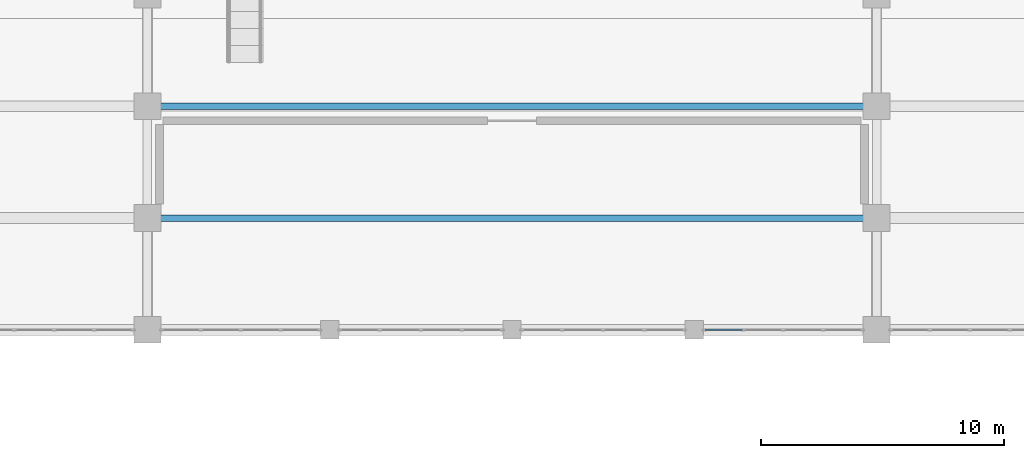
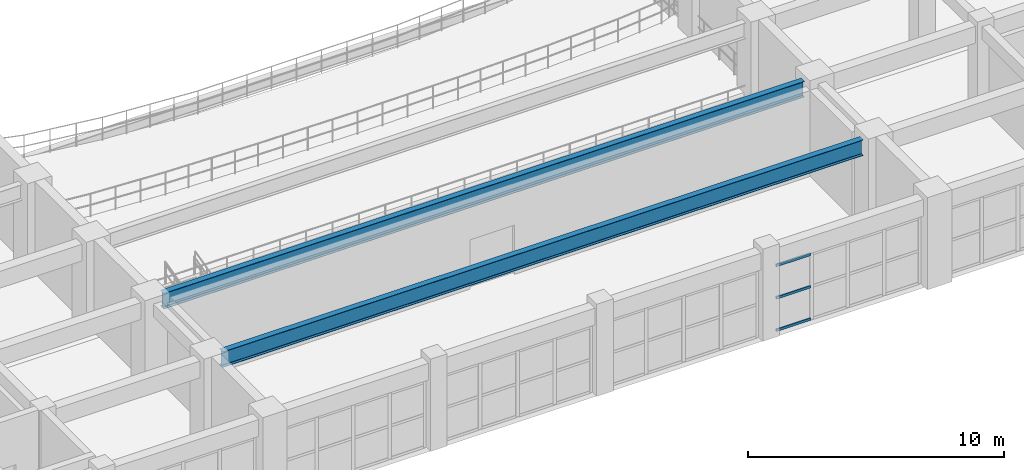
# One storey, part 24 of 90: 3 members, 2 beams, 1 element without a shape of its own.
"""IFC4 building model written with IfcOpenShell, lengths in metres."""

from ifc_helpers import new_model, si_unit, direction, frame, origin, origin_2d, place, context, subcontext, project, spatial, hollow_rectangle, i_section, extrude, material, layer, layer_set, material_profile, profile_set, type_object, element, aggregate, save


model = new_model("IFC4")

# Units and contexts
model_context = context("Model", 3, precision=1e-05, world=origin(), true_north=direction((0.0, 1.0)))
body_context = subcontext(model_context, "Body", "Model", "MODEL_VIEW")
ifc_project = project(units=[si_unit("LENGTHUNIT", "METRE"), si_unit("AREAUNIT", "SQUARE_METRE"), si_unit("VOLUMEUNIT", "CUBIC_METRE"), si_unit("PLANEANGLEUNIT", "RADIAN"), si_unit("MASSUNIT", "GRAM", prefix="KILO")], contexts=[model_context])

# Site, building, storey
site_placement = place(None, origin())
site = spatial("IfcSite", under=ifc_project, at=site_placement, CompositionType="ELEMENT")
building_placement = place(site_placement, origin())
building = spatial("IfcBuilding", under=site, at=building_placement, Name="Muzn Square Opera House", CompositionType="ELEMENT")
storey_placement = place(building_placement, frame((0.0, 0.0, 9.800048828125)))
storey = spatial("IfcBuildingStorey", under=building, at=storey_placement, Name="L02", CompositionType="ELEMENT", Elevation=9.800048828125)

# Curtain wall, members
ifc_material_1 = material(Name="Low-E laminated acoustic double glazing", Category="glass")
ifc_layer = layer(ifc_material_1, 0.159912109375, Name="Low-E laminated acoustic double glazing", Category="glass")
ifc_layer_set = layer_set([ifc_layer], Name="Low-E laminated acoustic double glazing")
curtain_wall_type = type_object("IfcCurtainWallType", Name="Glazed Curtain Wall Forecourt 6575x3150", PredefinedType="USERDEFINED", material=ifc_layer_set)
curtain_wall_placement = place(storey_placement, origin())
curtain_wall = element("IfcCurtainWall", 1, at=curtain_wall_placement, inside=storey, type_object=curtain_wall_type, Name="Glazed Curtain Wall CW-L02-016", ObjectType="GLAZED CURTAIN WALL", PredefinedType="USERDEFINED")
ifc_material_2 = material(Name="Anodised bronze aluminium 6063-T6", Category="metal")
ifc_material_profile_1 = material_profile(ifc_material_2, hollow_rectangle(XDim=0.06005859375, YDim=0.1201171875, WallThickness=0.00390625, at=origin_2d()), Name="ALU 120x60x4", Category="metal")
ifc_profile_set_1 = profile_set([ifc_material_profile_1], Name="Anodised bronze aluminium 6063-T6")
member_type = type_object("IfcMemberType", Name="Curtain Wall Transom 120x60", PredefinedType="USERDEFINED", material=ifc_profile_set_1)
member_1_placement = place(storey_placement, frame((95.93505859375, 22.0, 0.030029296875), z_axis=(1.0, 0.0, 0.0), x_axis=(0.0, 1.0, 0.0)))
member_1 = element("IfcMember", 2, at=member_1_placement, type_object=member_type, Name="CW-FC-65x31 transom 1.1", ObjectType="TRANSOM", PredefinedType="USERDEFINED", context=body_context, shape_type="SweptSolid", body=[
    extrude(hollow_rectangle(XDim=0.06005859375, YDim=0.1201171875, WallThickness=0.00390625, at=origin_2d()), origin(), (0.0, 0.0, 1.0), 1.5537109375),
])
member_2_placement = place(storey_placement, frame((95.93505859375, 22.0, 1.574951171875), z_axis=(1.0, 0.0, 0.0), x_axis=(0.0, 1.0, 0.0)))
member_2 = element("IfcMember", 3, at=member_2_placement, type_object=member_type, Name="CW-FC-65x31 transom 1.2", ObjectType="TRANSOM", PredefinedType="USERDEFINED", context=body_context, shape_type="SweptSolid", body=[
    extrude(hollow_rectangle(XDim=0.06005859375, YDim=0.1201171875, WallThickness=0.00390625, at=origin_2d()), origin(), (0.0, 0.0, 1.0), 1.5537109375),
])
member_3_placement = place(storey_placement, frame((95.93505859375, 22.0, 3.119873046875), z_axis=(1.0, 0.0, 0.0), x_axis=(0.0, 1.0, 0.0)))
member_3 = element("IfcMember", 4, at=member_3_placement, type_object=member_type, Name="CW-FC-65x31 transom 1.3", ObjectType="TRANSOM", PredefinedType="USERDEFINED", context=body_context, shape_type="SweptSolid", body=[
    extrude(hollow_rectangle(XDim=0.06005859375, YDim=0.1201171875, WallThickness=0.00390625, at=origin_2d()), origin(), (0.0, 0.0, 1.0), 1.5537109375),
])
aggregate(curtain_wall, [member_1, member_2, member_3])

# Beams
ifc_material_3 = material(Name="Steel S355", Category="steel")
ifc_material_profile_2 = material_profile(ifc_material_3, i_section(OverallWidth=0.264892578125, OverallDepth=0.7529296875, WebThickness=0.01318359375, FlangeThickness=0.01708984375, FilletRadius=0.01708984375, at=origin_2d()), Name="IPE 750x147", Category="steel")
ifc_profile_set_2 = profile_set([ifc_material_profile_2], Name="Steel S355")
beam_type = type_object("IfcBeamType", Name="Long Span Foyer Beam IPE750", PredefinedType="BEAM", material=ifc_profile_set_2)
for number, where, z_axis, x_axis, name in (
    (5, (73.5419921875, 26.60009765625, 3.743408203125), (1.0, 0.0, 0.0), (0.0, 1.0, 0.0), "Primary Girder BM-L02-BM-LF750-735_266_1025_266-1971"),
    (6, (73.5419921875, 31.199951171875, 3.743408203125), (1.0, 0.0, 0.0), (0.0, 1.0, 0.0), "Primary Girder BM-L02-BM-LF750-735_312_1025_312-1988"),
):
    element("IfcBeam", number, at=place(storey_placement, frame(where, z_axis=z_axis, x_axis=x_axis)), inside=storey, type_object=beam_type, Name=name, PredefinedType="BEAM", context=body_context, shape_type="SweptSolid", body=[
        extrude(i_section(OverallWidth=0.264892578125, OverallDepth=0.7529296875, WebThickness=0.01318359375, FlangeThickness=0.01708984375, FilletRadius=0.01708984375, at=origin_2d()), origin(), (0.0, 0.0, 1.0), 28.916015625),
    ])

save(model, "model.ifc")
